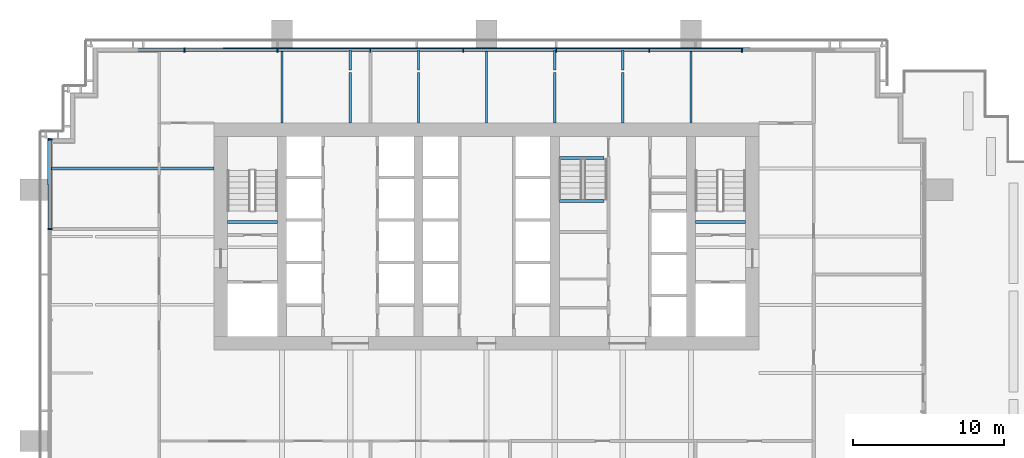
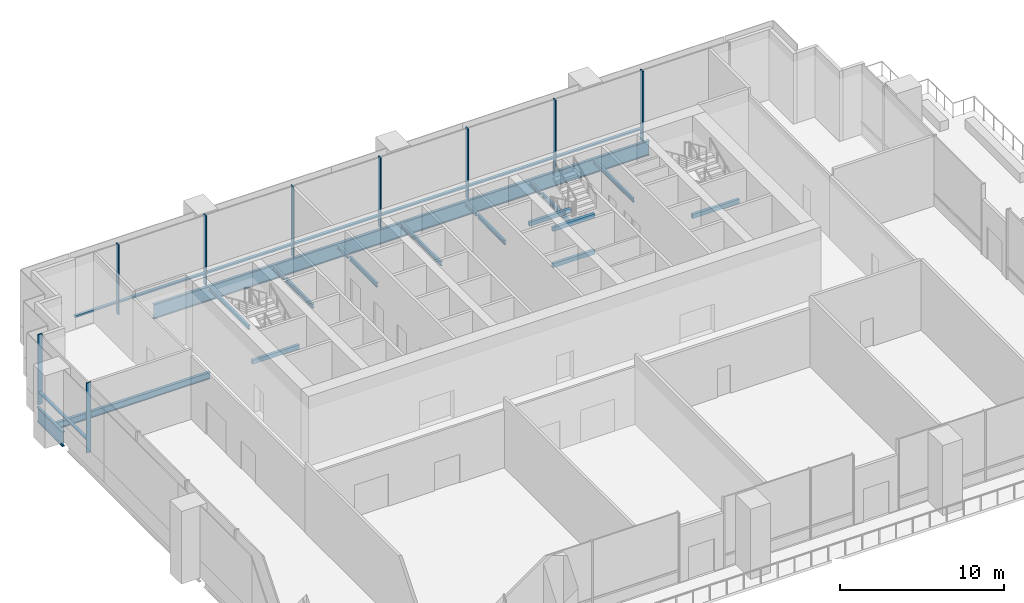
# One storey, part 4 of 14: 20 beams, 17 members, 2 elements without a shape of their own.
"""IFC4 building model written with IfcOpenShell, lengths in metres."""

from ifc_helpers import new_model, si_unit, direction, frame, origin, origin_2d, place, context, subcontext, project, spatial, rectangle, i_section, extrude, material, layer, layer_set, material_profile, profile_set, type_object, element, aggregate, save


model = new_model("IFC4")

# Units and contexts
model_context = context("Model", 3, precision=1e-05, world=origin(), true_north=direction((0.0, 1.0)))
body_context = subcontext(model_context, "Body", "Model", "MODEL_VIEW")
ifc_project = project(units=[si_unit("LENGTHUNIT", "METRE"), si_unit("AREAUNIT", "SQUARE_METRE"), si_unit("VOLUMEUNIT", "CUBIC_METRE"), si_unit("PLANEANGLEUNIT", "RADIAN"), si_unit("MASSUNIT", "GRAM", prefix="KILO")], contexts=[model_context])

# Site, building, storey
site_placement = place(None, origin())
site = spatial("IfcSite", under=ifc_project, at=site_placement, CompositionType="ELEMENT")
building_placement = place(site_placement, origin())
building = spatial("IfcBuilding", under=site, at=building_placement, Name="Rattan Terrace Tower", CompositionType="ELEMENT")
storey_placement = place(building_placement, frame((0.0, 0.0, 120.699951171875)))
storey = spatial("IfcBuildingStorey", under=building, at=storey_placement, Name="L27", CompositionType="ELEMENT", Elevation=120.699951171875)

# Beams
ifc_material_1 = material(Name="Concrete C40/50", Category="concrete")
ifc_material_profile_1 = material_profile(ifc_material_1, rectangle(XDim=0.199951171875, YDim=0.300048828125, at=origin_2d()), Name="RC 200x300")
ifc_profile_set_1 = profile_set([ifc_material_profile_1], Name="Concrete C40/50")
beam_type_1 = type_object("IfcBeamType", Name="Core landing beam RC 200x300", PredefinedType="BEAM", material=ifc_profile_set_1)
for number, where, z_axis, x_axis, name in (
    (1, (-17.10009765625, 0.949951171875, 2.35009765625), (1.0, 0.0, 0.0), (0.0, 1.0, 0.0), "st-S1-L27 landing 2 edge beam"),
    (2, (13.800048828125, 0.949951171875, 2.35009765625), (1.0, 0.0, 0.0), (0.0, 1.0, 0.0), "st-S2-L27 landing 2 edge beam"),
):
    element("IfcBeam", number, at=place(storey_placement, frame(where, z_axis=z_axis, x_axis=x_axis)), inside=storey, type_object=beam_type_1, Name=name, PredefinedType="BEAM", context=body_context, shape_type="SweptSolid", body=[
        extrude(rectangle(XDim=0.199951171875, YDim=0.300048828125, at=origin_2d()), origin(), (0.0, 0.0, 1.0), 3.300048828125),
    ])
for number, where, z_axis, x_axis, name in (
    (3, (4.800048828125, 2.340087890625, 1.0), (1.0, 0.0, 0.0), (0.0, 1.0, 0.0), "st-S3-L27 landing 1 edge beam"),
    (4, (4.800048828125, 5.199951171875, 2.35009765625), (1.0, 0.0, 0.0), (0.0, 1.0, 0.0), "st-S3-L27 landing 2 edge beam"),
    (5, (4.800048828125, 2.340087890625, 3.699951171875), (1.0, 0.0, 0.0), (0.0, 1.0, 0.0), "st-S3-L27 landing 3 edge beam"),
):
    element("IfcBeam", number, at=place(storey_placement, frame(where, z_axis=z_axis, x_axis=x_axis)), inside=storey, type_object=beam_type_1, Name=name, PredefinedType="BEAM", context=body_context, shape_type="SweptSolid", body=[
        extrude(rectangle(XDim=0.199951171875, YDim=0.300048828125, at=origin_2d()), origin(), (0.0, 0.0, 1.0), 2.949951171875),
    ])
ifc_material_2 = material(Name="Steel S460", Category="steel")
ifc_material_profile_2 = material_profile(ifc_material_2, i_section(OverallWidth=0.179931640625, OverallDepth=1.10009765625, WebThickness=0.01611328125, FlangeThickness=0.050048828125, at=origin_2d()), Name="PG 1100x180-16-50")
ifc_profile_set_2 = profile_set([ifc_material_profile_2], Name="Steel S460")
beam_type_2 = type_object("IfcBeamType", Name="Frame edge girder PG 1100x180-16-50", PredefinedType="SPANDREL", material=ifc_profile_set_2)
beam_1_placement = place(storey_placement, frame((-28.909912109375, 3.39990234375, -0.75), z_axis=(0.0, 1.0, 0.0), x_axis=(-1.0, 0.0, 0.0)))
element("IfcBeam", 6, at=beam_1_placement, inside=storey, type_object=beam_type_2, Name="gdr-L27-007", PredefinedType="SPANDREL", context=body_context, shape_type="SweptSolid", body=[
    extrude(i_section(OverallWidth=0.179931640625, OverallDepth=1.10009765625, WebThickness=0.01611328125, FlangeThickness=0.050048828125, at=origin_2d()), origin(), (0.0, 0.0, 1.0), 3.10009765625),
])
for number, where, z_axis, x_axis, name in (
    (7, (-17.39990234375, 12.409912109375, -0.75), (1.0, 0.0, 0.0), (0.0, 1.0, 0.0), "gdr-L27-009"),
    (8, (17.39990234375, 12.409912109375, -0.75), (-1.0, 0.0, 0.0), (0.0, -1.0, 0.0), "gdr-L27-010"),
):
    element("IfcBeam", number, at=place(storey_placement, frame(where, z_axis=z_axis, x_axis=x_axis)), inside=storey, type_object=beam_type_2, Name=name, PredefinedType="SPANDREL", context=body_context, shape_type="SweptSolid", body=[
        extrude(i_section(OverallWidth=0.179931640625, OverallDepth=1.10009765625, WebThickness=0.01611328125, FlangeThickness=0.050048828125, at=origin_2d()), origin(), (0.0, 0.0, 1.0), 17.39990234375),
    ])
ifc_material_3 = material(Name="Steel S355", Category="steel")
ifc_material_profile_3 = material_profile(ifc_material_3, i_section(OverallWidth=0.14990234375, OverallDepth=0.300048828125, WebThickness=0.007080078125, FlangeThickness=0.0107421875, FilletRadius=0.014892578125, at=origin_2d()), Name="IPE 300")
ifc_profile_set_3 = profile_set([ifc_material_profile_3], Name="Steel S355")
beam_type_3 = type_object("IfcBeamType", Name="Frame floor beam IPE 300", PredefinedType="JOIST", material=ifc_profile_set_3)
beam_2_placement = place(storey_placement, frame((-13.5, 7.5, -0.349853515625), z_axis=(0.0, 1.0, 0.0), x_axis=(-1.0, 0.0, 0.0)))
element("IfcBeam", 9, at=beam_2_placement, inside=storey, type_object=beam_type_3, Name="bm-L27-020", PredefinedType="JOIST", context=body_context, shape_type="SweptSolid", body=[
    extrude(i_section(OverallWidth=0.14990234375, OverallDepth=0.300048828125, WebThickness=0.007080078125, FlangeThickness=0.0107421875, FilletRadius=0.014892578125, at=origin_2d()), origin(), (0.0, 0.0, 1.0), 4.820068359375),
])
for number, where, z_axis, x_axis, name in (
    (10, (-9.0, 7.5, -0.349853515625), (0.0, 1.0, 0.0), (-1.0, 0.0, 0.0), "bm-L27-021"),
    (11, (-4.5, 7.5, -0.349853515625), (0.0, 1.0, 0.0), (-1.0, 0.0, 0.0), "bm-L27-022"),
):
    element("IfcBeam", number, at=place(storey_placement, frame(where, z_axis=z_axis, x_axis=x_axis)), inside=storey, type_object=beam_type_3, Name=name, PredefinedType="JOIST", context=body_context, shape_type="SweptSolid", body=[
        extrude(i_section(OverallWidth=0.14990234375, OverallDepth=0.300048828125, WebThickness=0.007080078125, FlangeThickness=0.0107421875, FilletRadius=0.014892578125, at=origin_2d()), origin(), (0.0, 0.0, 1.0), 3.320068359375),
    ])
beam_3_placement = place(storey_placement, frame((0.0, 7.5, -0.349853515625), z_axis=(0.0, 1.0, 0.0), x_axis=(-1.0, 0.0, 0.0)))
element("IfcBeam", 12, at=beam_3_placement, inside=storey, type_object=beam_type_3, Name="bm-L27-023", PredefinedType="JOIST", context=body_context, shape_type="SweptSolid", body=[
    extrude(i_section(OverallWidth=0.14990234375, OverallDepth=0.300048828125, WebThickness=0.007080078125, FlangeThickness=0.0107421875, FilletRadius=0.014892578125, at=origin_2d()), origin(), (0.0, 0.0, 1.0), 4.820068359375),
])
for number, where, z_axis, x_axis, name in (
    (13, (4.5, 7.5, -0.349853515625), (0.0, 1.0, 0.0), (-1.0, 0.0, 0.0), "bm-L27-024"),
    (14, (9.0, 7.5, -0.349853515625), (0.0, 1.0, 0.0), (-1.0, 0.0, 0.0), "bm-L27-025"),
):
    element("IfcBeam", number, at=place(storey_placement, frame(where, z_axis=z_axis, x_axis=x_axis)), inside=storey, type_object=beam_type_3, Name=name, PredefinedType="JOIST", context=body_context, shape_type="SweptSolid", body=[
        extrude(i_section(OverallWidth=0.14990234375, OverallDepth=0.300048828125, WebThickness=0.007080078125, FlangeThickness=0.0107421875, FilletRadius=0.014892578125, at=origin_2d()), origin(), (0.0, 0.0, 1.0), 3.320068359375),
    ])
beam_4_placement = place(storey_placement, frame((13.5, 7.5, -0.349853515625), z_axis=(0.0, 1.0, 0.0), x_axis=(-1.0, 0.0, 0.0)))
element("IfcBeam", 15, at=beam_4_placement, inside=storey, type_object=beam_type_3, Name="bm-L27-026", PredefinedType="JOIST", context=body_context, shape_type="SweptSolid", body=[
    extrude(i_section(OverallWidth=0.14990234375, OverallDepth=0.300048828125, WebThickness=0.007080078125, FlangeThickness=0.0107421875, FilletRadius=0.014892578125, at=origin_2d()), origin(), (0.0, 0.0, 1.0), 4.820068359375),
])
for number, where, z_axis, x_axis, name in (
    (16, (-9.0, 11.0, -0.349853515625), (0.0, 1.0, 0.0), (-1.0, 0.0, 0.0), "bm-L27-027"),
    (17, (-4.5, 11.0, -0.349853515625), (0.0, 1.0, 0.0), (-1.0, 0.0, 0.0), "bm-L27-028"),
    (18, (4.5, 11.0, -0.349853515625), (0.0, 1.0, 0.0), (-1.0, 0.0, 0.0), "bm-L27-029"),
    (19, (9.0, 11.0, -0.349853515625), (0.0, 1.0, 0.0), (-1.0, 0.0, 0.0), "bm-L27-030"),
):
    element("IfcBeam", number, at=place(storey_placement, frame(where, z_axis=z_axis, x_axis=x_axis)), inside=storey, type_object=beam_type_3, Name=name, PredefinedType="JOIST", context=body_context, shape_type="SweptSolid", body=[
        extrude(i_section(OverallWidth=0.14990234375, OverallDepth=0.300048828125, WebThickness=0.007080078125, FlangeThickness=0.0107421875, FilletRadius=0.014892578125, at=origin_2d()), origin(), (0.0, 0.0, 1.0), 1.320068359375),
    ])
ifc_material_4 = material(Name="Steel S355", Category="steel")
ifc_material_profile_4 = material_profile(ifc_material_4, i_section(OverallWidth=0.199951171875, OverallDepth=0.5, WebThickness=0.01025390625, FlangeThickness=0.01611328125, FilletRadius=0.02099609375, at=origin_2d()), Name="IPE 500")
ifc_profile_set_4 = profile_set([ifc_material_profile_4], Name="Steel S355")
beam_type_4 = type_object("IfcBeamType", Name="Frame floor beam IPE 500", PredefinedType="JOIST", material=ifc_profile_set_4)
beam_5_placement = place(storey_placement, frame((-28.820068359375, 4.5, -0.449951171875), z_axis=(1.0, 0.0, 0.0), x_axis=(0.0, 1.0, 0.0)))
element("IfcBeam", 20, at=beam_5_placement, inside=storey, type_object=beam_type_4, Name="bm-L27-018", PredefinedType="JOIST", context=body_context, shape_type="SweptSolid", body=[
    extrude(i_section(OverallWidth=0.199951171875, OverallDepth=0.5, WebThickness=0.01025390625, FlangeThickness=0.01611328125, FilletRadius=0.02099609375, at=origin_2d()), origin(), (0.0, 0.0, 1.0), 10.820068359375),
])

# Curtain wall, members
ifc_material_5 = material(Name="Steel fins, aluminium and glass", Category="steel")
ifc_layer = layer(ifc_material_5, 0.300048828125)
ifc_layer_set = layer_set([ifc_layer], Name="Sky Lobby Stick Curtain Wall")
curtain_wall_type = type_object("IfcCurtainWallType", Name="Sky Lobby Stick Curtain Wall", PredefinedType="NOTDEFINED", material=ifc_layer_set)
curtain_wall_1_placement = place(storey_placement, origin())
curtain_wall_1 = element("IfcCurtainWall", 21, at=curtain_wall_1_placement, inside=storey, type_object=curtain_wall_type, Name="Sky lobby curtain wall L27-3", PredefinedType="NOTDEFINED")
ifc_material_6 = material(Name="Steel S355", Category="steel")
ifc_material_profile_5 = material_profile(ifc_material_6, rectangle(XDim=0.080078125, YDim=0.300048828125, at=origin_2d()), Name="Steel S355 80x300")
ifc_profile_set_5 = profile_set([ifc_material_profile_5], Name="Steel S355")
member_type_1 = type_object("IfcMemberType", Name="Sky Lobby CW Fin 80x300", PredefinedType="MULLION", material=ifc_profile_set_5)
member_1_placement = place(storey_placement, frame((16.865966796875, 12.330078125, 0.0), z_axis=(0.0, 0.0, 1.0), x_axis=(-1.0, 0.0, 0.0)))
member_1 = element("IfcMember", 22, at=member_1_placement, type_object=member_type_1, Name="Mullion cwl-L27-003.2", PredefinedType="MULLION", context=body_context, shape_type="SweptSolid", body=[
    extrude(rectangle(XDim=0.080078125, YDim=0.300048828125, at=origin_2d()), origin(), (0.0, 0.0, 1.0), 5.199951171875),
])
member_2_placement = place(storey_placement, frame((10.73193359375, 12.330078125, 0.0), z_axis=(0.0, 0.0, 1.0), x_axis=(-1.0, 0.0, 0.0)))
member_2 = element("IfcMember", 23, at=member_2_placement, type_object=member_type_1, Name="Mullion cwl-L27-003.3", PredefinedType="MULLION", context=body_context, shape_type="SweptSolid", body=[
    extrude(rectangle(XDim=0.080078125, YDim=0.300048828125, at=origin_2d()), origin(), (0.0, 0.0, 1.0), 5.199951171875),
])
member_3_placement = place(storey_placement, frame((4.597900390625, 12.330078125, 0.0), z_axis=(0.0, 0.0, 1.0), x_axis=(-1.0, 0.0, 0.0)))
member_3 = element("IfcMember", 24, at=member_3_placement, type_object=member_type_1, Name="Mullion cwl-L27-003.4", PredefinedType="MULLION", context=body_context, shape_type="SweptSolid", body=[
    extrude(rectangle(XDim=0.080078125, YDim=0.300048828125, at=origin_2d()), origin(), (0.0, 0.0, 1.0), 5.199951171875),
])
member_4_placement = place(storey_placement, frame((-1.535888671875, 12.330078125, 0.0), z_axis=(0.0, 0.0, 1.0), x_axis=(-1.0, 0.0, 0.0)))
member_4 = element("IfcMember", 25, at=member_4_placement, type_object=member_type_1, Name="Mullion cwl-L27-003.5", PredefinedType="MULLION", context=body_context, shape_type="SweptSolid", body=[
    extrude(rectangle(XDim=0.080078125, YDim=0.300048828125, at=origin_2d()), origin(), (0.0, 0.0, 1.0), 5.199951171875),
])
member_5_placement = place(storey_placement, frame((-7.669921875, 12.330078125, 0.0), z_axis=(0.0, 0.0, 1.0), x_axis=(-1.0, 0.0, 0.0)))
member_5 = element("IfcMember", 26, at=member_5_placement, type_object=member_type_1, Name="Mullion cwl-L27-003.6", PredefinedType="MULLION", context=body_context, shape_type="SweptSolid", body=[
    extrude(rectangle(XDim=0.080078125, YDim=0.300048828125, at=origin_2d()), origin(), (0.0, 0.0, 1.0), 5.199951171875),
])
member_6_placement = place(storey_placement, frame((-13.803955078125, 12.330078125, 0.0), z_axis=(0.0, 0.0, 1.0), x_axis=(-1.0, 0.0, 0.0)))
member_6 = element("IfcMember", 27, at=member_6_placement, type_object=member_type_1, Name="Mullion cwl-L27-003.7", PredefinedType="MULLION", context=body_context, shape_type="SweptSolid", body=[
    extrude(rectangle(XDim=0.080078125, YDim=0.300048828125, at=origin_2d()), origin(), (0.0, 0.0, 1.0), 5.199951171875),
])
member_7_placement = place(storey_placement, frame((-19.93798828125, 12.330078125, 0.0), z_axis=(0.0, 0.0, 1.0), x_axis=(-1.0, 0.0, 0.0)))
member_7 = element("IfcMember", 28, at=member_7_placement, type_object=member_type_1, Name="Mullion cwl-L27-003.8", PredefinedType="MULLION", context=body_context, shape_type="SweptSolid", body=[
    extrude(rectangle(XDim=0.080078125, YDim=0.300048828125, at=origin_2d()), origin(), (0.0, 0.0, 1.0), 5.199951171875),
])

curtain_wall_2_placement = place(storey_placement, origin())
curtain_wall_2 = element("IfcCurtainWall", 29, at=curtain_wall_2_placement, inside=storey, type_object=curtain_wall_type, Name="Sky lobby curtain wall L27-4", PredefinedType="NOTDEFINED")
member_8_placement = place(storey_placement, frame((-28.830078125, 6.4150390625, 0.0), z_axis=(0.0, 0.0, 1.0), x_axis=(0.0, -1.0, 0.0)))
member_8 = element("IfcMember", 30, at=member_8_placement, type_object=member_type_1, Name="Mullion cwl-L27-004.1", PredefinedType="MULLION", context=body_context, shape_type="SweptSolid", body=[
    extrude(rectangle(XDim=0.080078125, YDim=0.300048828125, at=origin_2d()), origin(), (0.0, 0.0, 1.0), 5.199951171875),
])
member_9_placement = place(storey_placement, frame((-28.830078125, 0.5, 0.0), z_axis=(0.0, 0.0, 1.0), x_axis=(0.0, -1.0, 0.0)))
member_9 = element("IfcMember", 31, at=member_9_placement, type_object=member_type_1, Name="Mullion cwl-L27-004.2", PredefinedType="MULLION", context=body_context, shape_type="SweptSolid", body=[
    extrude(rectangle(XDim=0.080078125, YDim=0.300048828125, at=origin_2d()), origin(), (0.0, 0.0, 1.0), 5.199951171875),
])

# Member
ifc_material_7 = material(Name="Aluminium", Category="aluminium")
ifc_material_profile_6 = material_profile(ifc_material_7, rectangle(XDim=0.199951171875, YDim=0.1201171875, at=origin_2d()), Name="Aluminium 200x120")
ifc_profile_set_6 = profile_set([ifc_material_profile_6], Name="Aluminium")
member_type_2 = type_object("IfcMemberType", Name="Sky Lobby CW Transom 200x120", PredefinedType="USERDEFINED", material=ifc_profile_set_6)
member_10_placement = place(storey_placement, frame((16.825927734375, 12.330078125, 0.900146484375), z_axis=(-1.0, 0.0, 0.0), x_axis=(0.0, -1.0, 0.0)))
member_10 = element("IfcMember", 32, at=member_10_placement, type_object=member_type_2, Name="Transom cwl-L27-003.2", ObjectType="TRANSOM", PredefinedType="USERDEFINED", context=body_context, shape_type="SweptSolid", body=[
    extrude(rectangle(XDim=0.199951171875, YDim=0.1201171875, at=origin_2d()), origin(), (0.0, 0.0, 1.0), 6.053955078125),
])

member_11_placement = place(storey_placement, frame((10.69189453125, 12.330078125, 0.900146484375), z_axis=(-1.0, 0.0, 0.0), x_axis=(0.0, -1.0, 0.0)))
member_11 = element("IfcMember", 33, at=member_11_placement, type_object=member_type_2, Name="Transom cwl-L27-003.3", ObjectType="TRANSOM", PredefinedType="USERDEFINED", context=body_context, shape_type="SweptSolid", body=[
    extrude(rectangle(XDim=0.199951171875, YDim=0.1201171875, at=origin_2d()), origin(), (0.0, 0.0, 1.0), 6.053955078125),
])

member_12_placement = place(storey_placement, frame((4.55810546875, 12.330078125, 0.900146484375), z_axis=(-1.0, 0.0, 0.0), x_axis=(0.0, -1.0, 0.0)))
member_12 = element("IfcMember", 34, at=member_12_placement, type_object=member_type_2, Name="Transom cwl-L27-003.4", ObjectType="TRANSOM", PredefinedType="USERDEFINED", context=body_context, shape_type="SweptSolid", body=[
    extrude(rectangle(XDim=0.199951171875, YDim=0.1201171875, at=origin_2d()), origin(), (0.0, 0.0, 1.0), 6.05419921875),
])

member_13_placement = place(storey_placement, frame((-1.575927734375, 12.330078125, 0.900146484375), z_axis=(-1.0, 0.0, 0.0), x_axis=(0.0, -1.0, 0.0)))
member_13 = element("IfcMember", 35, at=member_13_placement, type_object=member_type_2, Name="Transom cwl-L27-003.5", ObjectType="TRANSOM", PredefinedType="USERDEFINED", context=body_context, shape_type="SweptSolid", body=[
    extrude(rectangle(XDim=0.199951171875, YDim=0.1201171875, at=origin_2d()), origin(), (0.0, 0.0, 1.0), 6.053955078125),
])

member_14_placement = place(storey_placement, frame((-7.7099609375, 12.330078125, 0.900146484375), z_axis=(-1.0, 0.0, 0.0), x_axis=(0.0, -1.0, 0.0)))
member_14 = element("IfcMember", 36, at=member_14_placement, type_object=member_type_2, Name="Transom cwl-L27-003.6", ObjectType="TRANSOM", PredefinedType="USERDEFINED", context=body_context, shape_type="SweptSolid", body=[
    extrude(rectangle(XDim=0.199951171875, YDim=0.1201171875, at=origin_2d()), origin(), (0.0, 0.0, 1.0), 6.053955078125),
])

member_15_placement = place(storey_placement, frame((-13.843994140625, 12.330078125, 0.900146484375), z_axis=(-1.0, 0.0, 0.0), x_axis=(0.0, -1.0, 0.0)))
member_15 = element("IfcMember", 37, at=member_15_placement, type_object=member_type_2, Name="Transom cwl-L27-003.7", ObjectType="TRANSOM", PredefinedType="USERDEFINED", context=body_context, shape_type="SweptSolid", body=[
    extrude(rectangle(XDim=0.199951171875, YDim=0.1201171875, at=origin_2d()), origin(), (0.0, 0.0, 1.0), 6.053955078125),
])

member_16_placement = place(storey_placement, frame((-19.97802734375, 12.330078125, 0.900146484375), z_axis=(-1.0, 0.0, 0.0), x_axis=(0.0, -1.0, 0.0)))
member_16 = element("IfcMember", 38, at=member_16_placement, type_object=member_type_2, Name="Transom cwl-L27-003.8", ObjectType="TRANSOM", PredefinedType="USERDEFINED", context=body_context, shape_type="SweptSolid", body=[
    extrude(rectangle(XDim=0.199951171875, YDim=0.1201171875, at=origin_2d()), origin(), (0.0, 0.0, 1.0), 3.02197265625),
])

aggregate(curtain_wall_1, [member_1, member_2, member_3, member_4, member_5, member_6, member_7, member_10, member_11, member_12, member_13, member_14, member_15, member_16])

member_17_placement = place(storey_placement, frame((-28.830078125, 6.375, 0.900146484375), z_axis=(0.0, -1.0, 0.0), x_axis=(1.0, 0.0, 0.0)))
member_17 = element("IfcMember", 39, at=member_17_placement, type_object=member_type_2, Name="Transom cwl-L27-004.1", ObjectType="TRANSOM", PredefinedType="USERDEFINED", context=body_context, shape_type="SweptSolid", body=[
    extrude(rectangle(XDim=0.199951171875, YDim=0.1201171875, at=origin_2d()), origin(), (0.0, 0.0, 1.0), 5.8349609375),
])

aggregate(curtain_wall_2, [member_8, member_9, member_17])

save(model, "model.ifc")
